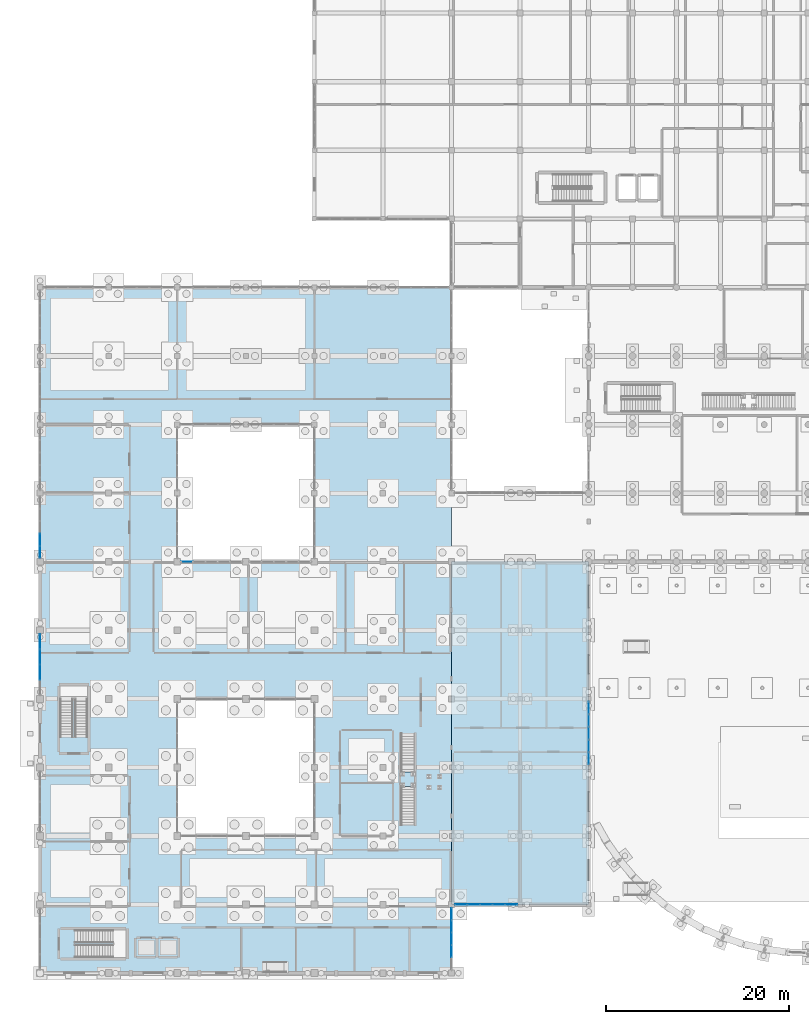
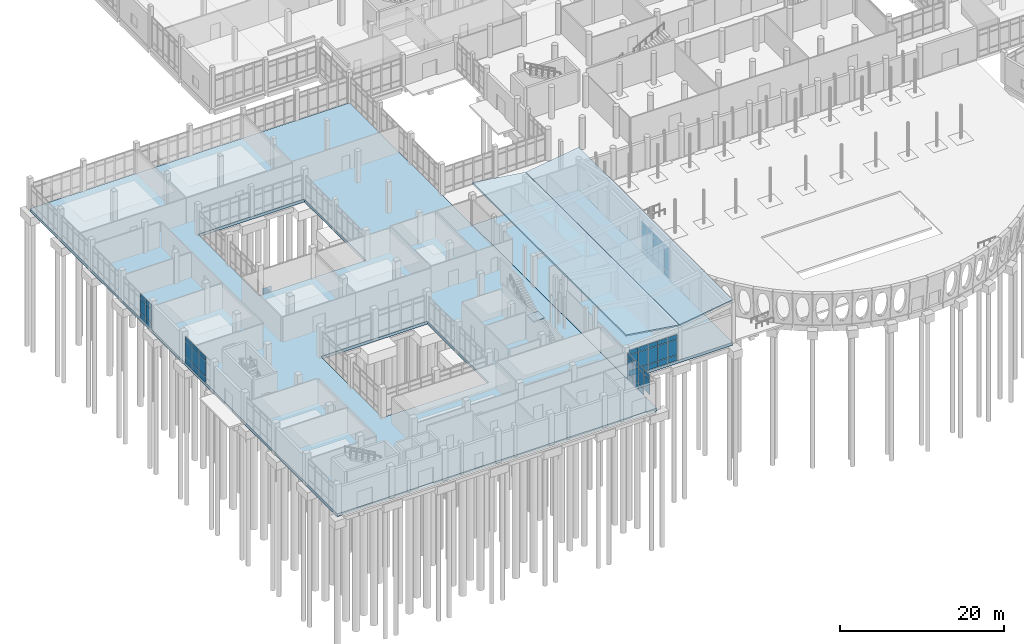
# One storey, part 126 of 173: 57 plates, 5 slabs, 7 elements without a shape of their own.
"""IFC4 building model written with IfcOpenShell, lengths in metres."""

import ifcopenshell
import ifcopenshell.guid

model = None  # the IFC model being written
_history = None  # IfcOwnerHistory: only IFC2X3 demands one
_inside = {}  # id of a spatial element -> (the spatial element, [elements in it])
_under = {}  # id of a project, library or spatial element -> (it, [spatial elements below it])
_declared = {}  # id of a project -> (the project, [libraries it declares])
_typed = {}  # id of a type object -> (the type object, [elements of that type])
_made_of = {}  # id of a material, layer set ... -> (it, [elements and type objects made of it])


def new_model(schema):
    """Start an empty IFC model of exactly this schema.

    Asked for "IFC4X3", IfcOpenShell would pick the latest addendum, in which some entities
    have other attributes; the version numbers below select the first issue.
    IFC2X3 requires an IfcOwnerHistory on every rooted entity: one is made here for all.
    """
    global model, _history
    if schema == "IFC4X3":
        model = ifcopenshell.file(schema_version=(4, 3, 0, 0))
    else:
        model = ifcopenshell.file(schema=schema)
    _inside.clear()
    _under.clear()
    _declared.clear()
    _typed.clear()
    _made_of.clear()
    _history = None
    if model.schema == "IFC2X3":
        org = make("IfcOrganization", Name="unknown")
        user = make(
            "IfcPersonAndOrganization",
            ThePerson=make("IfcPerson", FamilyName="unknown"),
            TheOrganization=org,
        )
        app = make(
            "IfcApplication",
            ApplicationDeveloper=org,
            Version="unknown",
            ApplicationFullName="unknown",
            ApplicationIdentifier="unknown",
        )
        _history = make(
            "IfcOwnerHistory",
            OwningUser=user,
            OwningApplication=app,
            ChangeAction="ADDED",
            CreationDate=0,
        )
    return model


def make(cls, **values):
    """One entity of the class cls with the attributes given. An attribute that is None is left unset."""
    return model.create_entity(
        cls, **{name: value for name, value in values.items() if value is not None}
    )


def rooted(cls, **values):
    """An entity with a GlobalId (a new one), such as an element, a storey or a relation."""
    return make(cls, GlobalId=ifcopenshell.guid.new(), OwnerHistory=_history, **values)


def si_unit(unit_type, name, prefix=None):
    """IfcSIUnit, for example si_unit("LENGTHUNIT", "METRE", prefix="MILLI")."""
    return make("IfcSIUnit", UnitType=unit_type, Prefix=prefix, Name=name)


def assignment(units):
    """IfcUnitAssignment: the units of a project."""
    return None if units is None else make("IfcUnitAssignment", Units=units)


def point(xyz):
    """IfcCartesianPoint."""
    return None if xyz is None else make("IfcCartesianPoint", Coordinates=xyz)


def direction(xyz):
    """IfcDirection."""
    return None if xyz is None else make("IfcDirection", DirectionRatios=xyz)


def frame(location, z_axis=None, x_axis=None):
    """IfcAxis2Placement3D, a coordinate frame: its origin and axes. An axis left out is left unset."""
    return make(
        "IfcAxis2Placement3D",
        Location=point(location),
        Axis=direction(z_axis),
        RefDirection=direction(x_axis),
    )


def frame_2d(location, x_axis=None):
    """IfcAxis2Placement2D, a coordinate frame in the plane: its origin and x axis."""
    return make(
        "IfcAxis2Placement2D", Location=point(location), RefDirection=direction(x_axis)
    )


def origin():
    """The frame at (0, 0, 0) with its axes left unset."""
    return frame((0.0, 0.0, 0.0))


def origin_2d():
    """The frame at (0, 0) in the plane with its x axis left unset."""
    return frame_2d((0.0, 0.0))


def place(relative_to, where):
    """IfcLocalPlacement: puts the frame where relative to a parent placement (None: the world)."""
    return make(
        "IfcLocalPlacement", PlacementRelTo=relative_to, RelativePlacement=where
    )


def context(
    kind, dimensions, precision=None, world=None, true_north=None, identifier=None
):
    """IfcGeometricRepresentationContext, for example the 3D "Model" context."""
    return make(
        "IfcGeometricRepresentationContext",
        ContextIdentifier=identifier,
        ContextType=kind,
        CoordinateSpaceDimension=dimensions,
        Precision=precision,
        WorldCoordinateSystem=world,
        TrueNorth=true_north,
    )


def subcontext(parent, identifier, kind, view, scale=None):
    """IfcGeometricRepresentationSubContext, for example "Body" below "Model"."""
    return make(
        "IfcGeometricRepresentationSubContext",
        ContextIdentifier=identifier,
        ContextType=kind,
        ParentContext=parent,
        TargetScale=scale,
        TargetView=view,
    )


def project(units=None, contexts=None):
    """IfcProject with its units and contexts."""
    return rooted(
        "IfcProject",
        Name="project",
        RepresentationContexts=contexts,
        UnitsInContext=assignment(units),
    )


def spatial(cls, under=None, at=None, **own):
    """A site, building, storey or space (cls), placed at a placement, below another one or the project."""
    s = rooted(cls, ObjectPlacement=at, **own)
    if under is not None:
        _under.setdefault(under.id(), (under, []))[1].append(s)
    return s


def polyline(points):
    """IfcPolyline through the points."""
    return make("IfcPolyline", Points=[point(p) for p in points])


def profile(cls, at=None, kind="AREA", **sizes):
    """A parametric profile (cls). Its sizes go by their IFC names, for example OverallWidth=200.0."""
    return make(cls, ProfileType=kind, Position=at, **sizes)


def rectangle(**sizes):
    """IfcRectangleProfileDef."""
    return profile("IfcRectangleProfileDef", **sizes)


def outline(outer, holes=None, kind="AREA"):
    """IfcArbitraryClosedProfileDef: a profile drawn as a closed curve; with holes, ...WithVoids."""
    if holes is None:
        return make("IfcArbitraryClosedProfileDef", ProfileType=kind, OuterCurve=outer)
    return make(
        "IfcArbitraryProfileDefWithVoids",
        ProfileType=kind,
        OuterCurve=outer,
        InnerCurves=holes,
    )


def extrude(swept, where, along, depth):
    """IfcExtrudedAreaSolid: the profile swept, set in the frame where, extruded along a direction by depth."""
    return make(
        "IfcExtrudedAreaSolid",
        SweptArea=swept,
        Position=where,
        ExtrudedDirection=direction(along),
        Depth=depth,
    )


def shape(context_of_items, identifier, shape_type, items):
    """IfcShapeRepresentation: the items that make up one representation, for example the "Body"."""
    return make(
        "IfcShapeRepresentation",
        ContextOfItems=context_of_items,
        RepresentationIdentifier=identifier,
        RepresentationType=shape_type,
        Items=items,
    )


def material(Name=None, Category=None):
    """IfcMaterial."""
    return make("IfcMaterial", Name=Name, Category=Category)


def layer(
    of_material, thickness, ventilated=None, Name=None, Category=None, Priority=None
):
    """IfcMaterialLayer: one layer of a wall or slab, of a material (None: an air gap)."""
    return make(
        "IfcMaterialLayer",
        Material=of_material,
        LayerThickness=thickness,
        IsVentilated=ventilated,
        Name=Name,
        Category=Category,
        Priority=Priority,
    )


def layer_set(layers, Name=None):
    """IfcMaterialLayerSet."""
    return make("IfcMaterialLayerSet", MaterialLayers=layers, LayerSetName=Name)


def made_of(thing, what):
    """Note that an element or type object is made of a material, layer set ...; save() writes the relation."""
    if what is not None:
        _made_of.setdefault(what.id(), (what, []))[1].append(thing)
    return thing


def type_object(cls, material=None, **own):
    """A type object (cls), such as IfcWallType, which elements share."""
    return made_of(rooted(cls, **own), material)


def element(
    cls,
    number,
    at=None,
    inside=None,
    cuts=None,
    type_object=None,
    material=None,
    context=None,
    identifier="Body",
    shape_type=None,
    held_by="IfcProductDefinitionShape",
    body=None,
    shapes=None,
    **own,
):
    """One element of the class cls, such as IfcWall. Its Tag is "e" and its number.

    at: its placement. inside: the storey or other place that contains it. cuts: it is an
    opening in that element (IfcRelVoidsElement). A single representation is given by context,
    identifier, shape_type and body (its items); several are given by shapes. held_by: the class
    of the entity that holds the representations. save() writes the other relations.
    """
    e = rooted(cls, Tag="e%d" % number, ObjectPlacement=at, **own)
    if body is not None:
        shapes = [shape(context, identifier, shape_type, body)]
    if shapes is not None:
        e.Representation = make(held_by, Representations=shapes)
    if inside is not None:
        _inside.setdefault(inside.id(), (inside, []))[1].append(e)
    if cuts is not None:
        rooted(
            "IfcRelVoidsElement", RelatingBuildingElement=cuts, RelatedOpeningElement=e
        )
    if type_object is not None:
        _typed.setdefault(type_object.id(), (type_object, []))[1].append(e)
    return made_of(e, material)


def aggregate(whole, parts):
    """IfcRelAggregates: a whole, such as a stair, and the parts it consists of."""
    return rooted("IfcRelAggregates", RelatingObject=whole, RelatedObjects=parts)


def save(model, path):
    """Write the relations noted so far, then the file.

    IfcRelAggregates (storeys below a building ...), IfcRelContainedInSpatialStructure (elements
    in a storey), IfcRelDefinesByType, IfcRelAssociatesMaterial and IfcRelDeclares: one each for
    every whole, place, type object, material and project.
    """
    for whole, parts in _under.values():
        aggregate(whole, parts)
    for where, things in _inside.values():
        rooted(
            "IfcRelContainedInSpatialStructure",
            RelatedElements=things,
            RelatingStructure=where,
        )
    for kind, things in _typed.values():
        rooted("IfcRelDefinesByType", RelatedObjects=things, RelatingType=kind)
    for what, things in _made_of.values():
        rooted("IfcRelAssociatesMaterial", RelatedObjects=things, RelatingMaterial=what)
    for by, libraries in _declared.values():
        rooted("IfcRelDeclares", RelatingContext=by, RelatedDefinitions=libraries)
    model.write(path)


model = new_model("IFC4")

# Units and contexts
model_context = context("Model", 3, precision=1e-05, world=origin(), true_north=direction((0.0, 1.0)))
body_context = subcontext(model_context, "Body", "Model", "MODEL_VIEW")
ifc_project = project(units=[si_unit("LENGTHUNIT", "METRE"), si_unit("AREAUNIT", "SQUARE_METRE"), si_unit("VOLUMEUNIT", "CUBIC_METRE"), si_unit("PLANEANGLEUNIT", "RADIAN"), si_unit("MASSUNIT", "GRAM", prefix="KILO")], contexts=[model_context])

# Site, building, storey
site_placement = place(None, origin())
site = spatial("IfcSite", under=ifc_project, at=site_placement, CompositionType="ELEMENT")
building_placement = place(site_placement, origin())
building = spatial("IfcBuilding", under=site, at=building_placement, Name="Mawjan Specialist Oncology Clinic", CompositionType="ELEMENT")
storey_placement = place(building_placement, origin())
storey = spatial("IfcBuildingStorey", under=building, at=storey_placement, Name="L00", CompositionType="ELEMENT", Elevation=0.0)

# Curtain wall, plates
ifc_material_1 = material(Name="Unitised spectrally selective aluminium curtain wall", Category="aluminium")
ifc_layer_1 = layer(ifc_material_1, 0.179931640625, Name="Unitised spectrally selective aluminium curtain wall", Category="aluminium")
ifc_layer_set_1 = layer_set([ifc_layer_1], Name="Unitised spectrally selective aluminium curtain wall")
curtain_wall_type_1 = type_object("IfcCurtainWallType", Name="CW-01", PredefinedType="NOTDEFINED", material=ifc_layer_set_1)
curtain_wall_1_placement = place(storey_placement, origin())
curtain_wall_1 = element("IfcCurtainWall", 1, at=curtain_wall_1_placement, inside=storey, type_object=curtain_wall_type_1, Name="L00 Unitised Curtain Wall CW-L00-001", PredefinedType="NOTDEFINED")
ifc_material_2 = material(Name="Spectrally selective double low-E glazing", Category="glass")
ifc_layer_2 = layer(ifc_material_2, 0.035888671875, Name="Spectrally selective double low-E glazing", Category="glass")
ifc_layer_set_2 = layer_set([ifc_layer_2], Name="Spectrally selective double low-E glazing")
plate_type = type_object("IfcPlateType", Name="CW-P36", PredefinedType="CURTAIN_PANEL", material=ifc_layer_set_2)
plate_1_placement = place(storey_placement, frame((45.0, 7.2578125, 0.06494140625), z_axis=(0.0, 0.0, 1.0), x_axis=(0.0, -1.0, 0.0)))
plate_1 = element("IfcPlate", 2, at=plate_1_placement, type_object=plate_type, Name="CW-01 panel 1.1", PredefinedType="CURTAIN_PANEL", context=body_context, shape_type="SweptSolid", body=[
    extrude(rectangle(XDim=1.264404296875, YDim=0.035888671875, at=origin_2d()), origin(), (0.0, 0.0, 1.0), 0.802490234375),
])
plate_2_placement = place(storey_placement, frame((45.0, 7.2578125, 0.932373046875), z_axis=(0.0, 0.0, 1.0), x_axis=(0.0, -1.0, 0.0)))
plate_2 = element("IfcPlate", 3, at=plate_2_placement, type_object=plate_type, Name="CW-01 panel 1.2", PredefinedType="CURTAIN_PANEL", context=body_context, shape_type="SweptSolid", body=[
    extrude(rectangle(XDim=1.264404296875, YDim=0.035888671875, at=origin_2d()), origin(), (0.0, 0.0, 1.0), 2.27001953125),
])
plate_3_placement = place(storey_placement, frame((45.0, 7.2578125, 3.267578125), z_axis=(0.0, 0.0, 1.0), x_axis=(0.0, -1.0, 0.0)))
plate_3 = element("IfcPlate", 4, at=plate_3_placement, type_object=plate_type, Name="CW-01 panel 1.3", PredefinedType="CURTAIN_PANEL", context=body_context, shape_type="SweptSolid", body=[
    extrude(rectangle(XDim=1.264404296875, YDim=0.035888671875, at=origin_2d()), origin(), (0.0, 0.0, 1.0), 0.652587890625),
])
plate_4_placement = place(storey_placement, frame((45.0, 5.912109375, 0.06494140625), z_axis=(0.0, 0.0, 1.0), x_axis=(0.0, -1.0, 0.0)))
plate_4 = element("IfcPlate", 5, at=plate_4_placement, type_object=plate_type, Name="CW-01 panel 2.1", PredefinedType="CURTAIN_PANEL", context=body_context, shape_type="SweptSolid", body=[
    extrude(rectangle(XDim=1.297119140625, YDim=0.035888671875, at=origin_2d()), origin(), (0.0, 0.0, 1.0), 0.802490234375),
])
plate_5_placement = place(storey_placement, frame((45.0, 5.912109375, 0.932373046875), z_axis=(0.0, 0.0, 1.0), x_axis=(0.0, -1.0, 0.0)))
plate_5 = element("IfcPlate", 6, at=plate_5_placement, type_object=plate_type, Name="CW-01 panel 2.2", PredefinedType="CURTAIN_PANEL", context=body_context, shape_type="SweptSolid", body=[
    extrude(rectangle(XDim=1.297119140625, YDim=0.035888671875, at=origin_2d()), origin(), (0.0, 0.0, 1.0), 2.27001953125),
])
plate_6_placement = place(storey_placement, frame((45.0, 5.912109375, 3.267578125), z_axis=(0.0, 0.0, 1.0), x_axis=(0.0, -1.0, 0.0)))
plate_6 = element("IfcPlate", 7, at=plate_6_placement, type_object=plate_type, Name="CW-01 panel 2.3", PredefinedType="CURTAIN_PANEL", context=body_context, shape_type="SweptSolid", body=[
    extrude(rectangle(XDim=1.297119140625, YDim=0.035888671875, at=origin_2d()), origin(), (0.0, 0.0, 1.0), 0.652587890625),
])
plate_7_placement = place(storey_placement, frame((45.0, 4.550048828125, 0.06494140625), z_axis=(0.0, 0.0, 1.0), x_axis=(0.0, -1.0, 0.0)))
plate_7 = element("IfcPlate", 8, at=plate_7_placement, type_object=plate_type, Name="CW-01 panel 3.1", PredefinedType="CURTAIN_PANEL", context=body_context, shape_type="SweptSolid", body=[
    extrude(rectangle(XDim=1.297119140625, YDim=0.035888671875, at=origin_2d()), origin(), (0.0, 0.0, 1.0), 0.802490234375),
])
plate_8_placement = place(storey_placement, frame((45.0, 4.550048828125, 0.932373046875), z_axis=(0.0, 0.0, 1.0), x_axis=(0.0, -1.0, 0.0)))
plate_8 = element("IfcPlate", 9, at=plate_8_placement, type_object=plate_type, Name="CW-01 panel 3.2", PredefinedType="CURTAIN_PANEL", context=body_context, shape_type="SweptSolid", body=[
    extrude(rectangle(XDim=1.297119140625, YDim=0.035888671875, at=origin_2d()), origin(), (0.0, 0.0, 1.0), 2.27001953125),
])
plate_9_placement = place(storey_placement, frame((45.0, 4.550048828125, 3.267578125), z_axis=(0.0, 0.0, 1.0), x_axis=(0.0, -1.0, 0.0)))
plate_9 = element("IfcPlate", 10, at=plate_9_placement, type_object=plate_type, Name="CW-01 panel 3.3", PredefinedType="CURTAIN_PANEL", context=body_context, shape_type="SweptSolid", body=[
    extrude(rectangle(XDim=1.297119140625, YDim=0.035888671875, at=origin_2d()), origin(), (0.0, 0.0, 1.0), 0.652587890625),
])
plate_10_placement = place(storey_placement, frame((45.0, 3.18798828125, 0.932373046875), z_axis=(0.0, 0.0, 1.0), x_axis=(0.0, -1.0, 0.0)))
plate_10 = element("IfcPlate", 11, at=plate_10_placement, type_object=plate_type, Name="CW-01 panel 4.2", PredefinedType="CURTAIN_PANEL", context=body_context, shape_type="SweptSolid", body=[
    extrude(rectangle(XDim=1.297119140625, YDim=0.035888671875, at=origin_2d()), origin(), (0.0, 0.0, 1.0), 2.27001953125),
])
plate_11_placement = place(storey_placement, frame((45.0, 3.18798828125, 3.267578125), z_axis=(0.0, 0.0, 1.0), x_axis=(0.0, -1.0, 0.0)))
plate_11 = element("IfcPlate", 12, at=plate_11_placement, type_object=plate_type, Name="CW-01 panel 4.3", PredefinedType="CURTAIN_PANEL", context=body_context, shape_type="SweptSolid", body=[
    extrude(rectangle(XDim=1.297119140625, YDim=0.035888671875, at=origin_2d()), origin(), (0.0, 0.0, 1.0), 0.652587890625),
])
aggregate(curtain_wall_1, [plate_1, plate_2, plate_3, plate_4, plate_5, plate_6, plate_7, plate_8, plate_9, plate_10, plate_11])

ifc_material_3 = material(Name="Unitised spectrally selective aluminium curtain wall", Category="aluminium")
ifc_layer_3 = layer(ifc_material_3, 0.179931640625, Name="Unitised spectrally selective aluminium curtain wall", Category="aluminium")
ifc_layer_set_3 = layer_set([ifc_layer_3], Name="Unitised spectrally selective aluminium curtain wall")
curtain_wall_type_2 = type_object("IfcCurtainWallType", Name="CW-02", PredefinedType="NOTDEFINED", material=ifc_layer_set_3)
curtain_wall_2_placement = place(storey_placement, origin())
curtain_wall_2 = element("IfcCurtainWall", 13, at=curtain_wall_2_placement, inside=storey, type_object=curtain_wall_type_2, Name="L00 Unitised Curtain Wall CW-L00-004", PredefinedType="NOTDEFINED")
plate_12_placement = place(storey_placement, frame((0.0, 33.711181640625, 0.06494140625), z_axis=(0.0, 0.0, 1.0), x_axis=(0.0, 1.0, 0.0)))
plate_12 = element("IfcPlate", 14, at=plate_12_placement, type_object=plate_type, Name="CW-02 panel 2.1", PredefinedType="CURTAIN_PANEL", context=body_context, shape_type="SweptSolid", body=[
    extrude(rectangle(XDim=1.612548828125, YDim=0.035888671875, at=origin_2d()), origin(), (0.0, 0.0, 1.0), 0.802490234375),
])
plate_13_placement = place(storey_placement, frame((0.0, 33.711181640625, 0.9326171875), z_axis=(0.0, 0.0, 1.0), x_axis=(0.0, 1.0, 0.0)))
plate_13 = element("IfcPlate", 15, at=plate_13_placement, type_object=plate_type, Name="CW-02 panel 2.2", PredefinedType="CURTAIN_PANEL", context=body_context, shape_type="SweptSolid", body=[
    extrude(rectangle(XDim=1.612548828125, YDim=0.035888671875, at=origin_2d()), origin(), (0.0, 0.0, 1.0), 2.320068359375),
])
plate_14_placement = place(storey_placement, frame((0.0, 33.711181640625, 3.3173828125), z_axis=(0.0, 0.0, 1.0), x_axis=(0.0, 1.0, 0.0)))
plate_14 = element("IfcPlate", 16, at=plate_14_placement, type_object=plate_type, Name="CW-02 panel 2.3", PredefinedType="CURTAIN_PANEL", context=body_context, shape_type="SweptSolid", body=[
    extrude(rectangle(XDim=1.612548828125, YDim=0.035888671875, at=origin_2d()), origin(), (0.0, 0.0, 1.0), 0.652587890625),
])
plate_15_placement = place(storey_placement, frame((0.0, 35.388671875, 0.06494140625), z_axis=(0.0, 0.0, 1.0), x_axis=(0.0, 1.0, 0.0)))
plate_15 = element("IfcPlate", 17, at=plate_15_placement, type_object=plate_type, Name="CW-02 panel 3.1", PredefinedType="CURTAIN_PANEL", context=body_context, shape_type="SweptSolid", body=[
    extrude(rectangle(XDim=1.612548828125, YDim=0.035888671875, at=origin_2d()), origin(), (0.0, 0.0, 1.0), 0.802490234375),
])
plate_16_placement = place(storey_placement, frame((0.0, 35.388671875, 0.9326171875), z_axis=(0.0, 0.0, 1.0), x_axis=(0.0, 1.0, 0.0)))
plate_16 = element("IfcPlate", 18, at=plate_16_placement, type_object=plate_type, Name="CW-02 panel 3.2", PredefinedType="CURTAIN_PANEL", context=body_context, shape_type="SweptSolid", body=[
    extrude(rectangle(XDim=1.612548828125, YDim=0.035888671875, at=origin_2d()), origin(), (0.0, 0.0, 1.0), 2.320068359375),
])
plate_17_placement = place(storey_placement, frame((0.0, 35.388671875, 3.3173828125), z_axis=(0.0, 0.0, 1.0), x_axis=(0.0, 1.0, 0.0)))
plate_17 = element("IfcPlate", 19, at=plate_17_placement, type_object=plate_type, Name="CW-02 panel 3.3", PredefinedType="CURTAIN_PANEL", context=body_context, shape_type="SweptSolid", body=[
    extrude(rectangle(XDim=1.612548828125, YDim=0.035888671875, at=origin_2d()), origin(), (0.0, 0.0, 1.0), 0.652587890625),
])
plate_18_placement = place(storey_placement, frame((0.0, 37.050048828125, 0.06494140625), z_axis=(0.0, 0.0, 1.0), x_axis=(0.0, 1.0, 0.0)))
plate_18 = element("IfcPlate", 20, at=plate_18_placement, type_object=plate_type, Name="CW-02 panel 4.1", PredefinedType="CURTAIN_PANEL", context=body_context, shape_type="SweptSolid", body=[
    extrude(rectangle(XDim=1.580078125, YDim=0.035888671875, at=origin_2d()), origin(), (0.0, 0.0, 1.0), 0.802490234375),
])
plate_19_placement = place(storey_placement, frame((0.0, 37.050048828125, 0.9326171875), z_axis=(0.0, 0.0, 1.0), x_axis=(0.0, 1.0, 0.0)))
plate_19 = element("IfcPlate", 21, at=plate_19_placement, type_object=plate_type, Name="CW-02 panel 4.2", PredefinedType="CURTAIN_PANEL", context=body_context, shape_type="SweptSolid", body=[
    extrude(rectangle(XDim=1.580078125, YDim=0.035888671875, at=origin_2d()), origin(), (0.0, 0.0, 1.0), 2.320068359375),
])
plate_20_placement = place(storey_placement, frame((0.0, 37.050048828125, 3.3173828125), z_axis=(0.0, 0.0, 1.0), x_axis=(0.0, 1.0, 0.0)))
plate_20 = element("IfcPlate", 22, at=plate_20_placement, type_object=plate_type, Name="CW-02 panel 4.3", PredefinedType="CURTAIN_PANEL", context=body_context, shape_type="SweptSolid", body=[
    extrude(rectangle(XDim=1.580078125, YDim=0.035888671875, at=origin_2d()), origin(), (0.0, 0.0, 1.0), 0.652587890625),
])
aggregate(curtain_wall_2, [plate_12, plate_13, plate_14, plate_15, plate_16, plate_17, plate_18, plate_19, plate_20])

ifc_material_4 = material(Name="Unitised spectrally selective aluminium curtain wall", Category="aluminium")
ifc_layer_4 = layer(ifc_material_4, 0.179931640625, Name="Unitised spectrally selective aluminium curtain wall", Category="aluminium")
ifc_layer_set_4 = layer_set([ifc_layer_4], Name="Unitised spectrally selective aluminium curtain wall")
curtain_wall_type_3 = type_object("IfcCurtainWallType", Name="CW-03", PredefinedType="NOTDEFINED", material=ifc_layer_set_4)
curtain_wall_3_placement = place(storey_placement, origin())
curtain_wall_3 = element("IfcCurtainWall", 23, at=curtain_wall_3_placement, inside=storey, type_object=curtain_wall_type_3, Name="L00 Unitised Curtain Wall CW-L00-005", PredefinedType="NOTDEFINED")
plate_21_placement = place(storey_placement, frame((0.0, 46.86474609375, 0.06494140625), z_axis=(0.0, 0.0, 1.0), x_axis=(0.0, 1.0, 0.0)))
plate_21 = element("IfcPlate", 24, at=plate_21_placement, type_object=plate_type, Name="CW-03 panel 1.1", PredefinedType="CURTAIN_PANEL", context=body_context, shape_type="SweptSolid", body=[
    extrude(rectangle(XDim=1.259521484375, YDim=0.035888671875, at=origin_2d()), origin(), (0.0, 0.0, 1.0), 0.802490234375),
])
plate_22_placement = place(storey_placement, frame((0.0, 46.86474609375, 0.9326171875), z_axis=(0.0, 0.0, 1.0), x_axis=(0.0, 1.0, 0.0)))
plate_22 = element("IfcPlate", 25, at=plate_22_placement, type_object=plate_type, Name="CW-03 panel 1.2", PredefinedType="CURTAIN_PANEL", context=body_context, shape_type="SweptSolid", body=[
    extrude(rectangle(XDim=1.259521484375, YDim=0.035888671875, at=origin_2d()), origin(), (0.0, 0.0, 1.0), 2.050048828125),
])
plate_23_placement = place(storey_placement, frame((0.0, 46.86474609375, 3.04736328125), z_axis=(0.0, 0.0, 1.0), x_axis=(0.0, 1.0, 0.0)))
plate_23 = element("IfcPlate", 26, at=plate_23_placement, type_object=plate_type, Name="CW-03 panel 1.3", PredefinedType="CURTAIN_PANEL", context=body_context, shape_type="SweptSolid", body=[
    extrude(rectangle(XDim=1.259521484375, YDim=0.035888671875, at=origin_2d()), origin(), (0.0, 0.0, 1.0), 0.652587890625),
])
plate_24_placement = place(storey_placement, frame((0.0, 48.20556640625, 0.06494140625), z_axis=(0.0, 0.0, 1.0), x_axis=(0.0, 1.0, 0.0)))
plate_24 = element("IfcPlate", 27, at=plate_24_placement, type_object=plate_type, Name="CW-03 panel 2.1", PredefinedType="CURTAIN_PANEL", context=body_context, shape_type="SweptSolid", body=[
    extrude(rectangle(XDim=1.2919921875, YDim=0.035888671875, at=origin_2d()), origin(), (0.0, 0.0, 1.0), 0.802490234375),
])
plate_25_placement = place(storey_placement, frame((0.0, 48.20556640625, 0.9326171875), z_axis=(0.0, 0.0, 1.0), x_axis=(0.0, 1.0, 0.0)))
plate_25 = element("IfcPlate", 28, at=plate_25_placement, type_object=plate_type, Name="CW-03 panel 2.2", PredefinedType="CURTAIN_PANEL", context=body_context, shape_type="SweptSolid", body=[
    extrude(rectangle(XDim=1.2919921875, YDim=0.035888671875, at=origin_2d()), origin(), (0.0, 0.0, 1.0), 2.050048828125),
])
plate_26_placement = place(storey_placement, frame((0.0, 48.20556640625, 3.04736328125), z_axis=(0.0, 0.0, 1.0), x_axis=(0.0, 1.0, 0.0)))
plate_26 = element("IfcPlate", 29, at=plate_26_placement, type_object=plate_type, Name="CW-03 panel 2.3", PredefinedType="CURTAIN_PANEL", context=body_context, shape_type="SweptSolid", body=[
    extrude(rectangle(XDim=1.2919921875, YDim=0.035888671875, at=origin_2d()), origin(), (0.0, 0.0, 1.0), 0.652587890625),
])
aggregate(curtain_wall_3, [plate_21, plate_22, plate_23, plate_24, plate_25, plate_26])

ifc_material_5 = material(Name="Unitised spectrally selective aluminium curtain wall", Category="aluminium")
ifc_layer_5 = layer(ifc_material_5, 0.179931640625, Name="Unitised spectrally selective aluminium curtain wall", Category="aluminium")
ifc_layer_set_5 = layer_set([ifc_layer_5], Name="Unitised spectrally selective aluminium curtain wall")
curtain_wall_type_4 = type_object("IfcCurtainWallType", Name="CW-21", PredefinedType="NOTDEFINED", material=ifc_layer_set_5)
curtain_wall_4_placement = place(storey_placement, origin())
curtain_wall_4 = element("IfcCurtainWall", 30, at=curtain_wall_4_placement, inside=storey, type_object=curtain_wall_type_4, Name="L00 Unitised Curtain Wall CW-L00-037", PredefinedType="NOTDEFINED")
plate_27_placement = place(storey_placement, frame((60.0, 29.81640625, 0.070068359375), z_axis=(0.0, 0.0, 1.0), x_axis=(0.0, -1.0, 0.0)))
plate_27 = element("IfcPlate", 31, at=plate_27_placement, type_object=plate_type, Name="CW-21 panel 1.1", PredefinedType="CURTAIN_PANEL", context=body_context, shape_type="SweptSolid", body=[
    extrude(rectangle(XDim=1.287109375, YDim=0.035888671875, at=origin_2d()), origin(), (0.0, 0.0, 1.0), 0.794921875),
])
plate_28_placement = place(storey_placement, frame((60.0, 29.81640625, 0.93505859375), z_axis=(0.0, 0.0, 1.0), x_axis=(0.0, -1.0, 0.0)))
plate_28 = element("IfcPlate", 32, at=plate_28_placement, type_object=plate_type, Name="CW-21 panel 1.2", PredefinedType="CURTAIN_PANEL", context=body_context, shape_type="SweptSolid", body=[
    extrude(rectangle(XDim=1.287109375, YDim=0.035888671875, at=origin_2d()), origin(), (0.0, 0.0, 1.0), 2.97998046875),
])
plate_29_placement = place(storey_placement, frame((60.0, 29.81640625, 3.985107421875), z_axis=(0.0, 0.0, 1.0), x_axis=(0.0, -1.0, 0.0)))
plate_29 = element("IfcPlate", 33, at=plate_29_placement, type_object=plate_type, Name="CW-21 panel 1.3", PredefinedType="CURTAIN_PANEL", context=body_context, shape_type="SweptSolid", body=[
    extrude(rectangle(XDim=1.287109375, YDim=0.035888671875, at=origin_2d()), origin(), (0.0, 0.0, 1.0), 0.64501953125),
])
plate_30_placement = place(storey_placement, frame((60.0, 28.44189453125, 0.070068359375), z_axis=(0.0, 0.0, 1.0), x_axis=(0.0, -1.0, 0.0)))
plate_30 = element("IfcPlate", 34, at=plate_30_placement, type_object=plate_type, Name="CW-21 panel 2.1", PredefinedType="CURTAIN_PANEL", context=body_context, shape_type="SweptSolid", body=[
    extrude(rectangle(XDim=1.322021484375, YDim=0.035888671875, at=origin_2d()), origin(), (0.0, 0.0, 1.0), 0.794921875),
])
plate_31_placement = place(storey_placement, frame((60.0, 28.44189453125, 0.93505859375), z_axis=(0.0, 0.0, 1.0), x_axis=(0.0, -1.0, 0.0)))
plate_31 = element("IfcPlate", 35, at=plate_31_placement, type_object=plate_type, Name="CW-21 panel 2.2", PredefinedType="CURTAIN_PANEL", context=body_context, shape_type="SweptSolid", body=[
    extrude(rectangle(XDim=1.322021484375, YDim=0.035888671875, at=origin_2d()), origin(), (0.0, 0.0, 1.0), 2.97998046875),
])
plate_32_placement = place(storey_placement, frame((60.0, 28.44189453125, 3.985107421875), z_axis=(0.0, 0.0, 1.0), x_axis=(0.0, -1.0, 0.0)))
plate_32 = element("IfcPlate", 36, at=plate_32_placement, type_object=plate_type, Name="CW-21 panel 2.3", PredefinedType="CURTAIN_PANEL", context=body_context, shape_type="SweptSolid", body=[
    extrude(rectangle(XDim=1.322021484375, YDim=0.035888671875, at=origin_2d()), origin(), (0.0, 0.0, 1.0), 0.64501953125),
])
plate_33_placement = place(storey_placement, frame((60.0, 27.050048828125, 0.070068359375), z_axis=(0.0, 0.0, 1.0), x_axis=(0.0, -1.0, 0.0)))
plate_33 = element("IfcPlate", 37, at=plate_33_placement, type_object=plate_type, Name="CW-21 panel 3.1", PredefinedType="CURTAIN_PANEL", context=body_context, shape_type="SweptSolid", body=[
    extrude(rectangle(XDim=1.322021484375, YDim=0.035888671875, at=origin_2d()), origin(), (0.0, 0.0, 1.0), 0.794921875),
])
plate_34_placement = place(storey_placement, frame((60.0, 27.050048828125, 0.93505859375), z_axis=(0.0, 0.0, 1.0), x_axis=(0.0, -1.0, 0.0)))
plate_34 = element("IfcPlate", 38, at=plate_34_placement, type_object=plate_type, Name="CW-21 panel 3.2", PredefinedType="CURTAIN_PANEL", context=body_context, shape_type="SweptSolid", body=[
    extrude(rectangle(XDim=1.322021484375, YDim=0.035888671875, at=origin_2d()), origin(), (0.0, 0.0, 1.0), 2.97998046875),
])
plate_35_placement = place(storey_placement, frame((60.0, 27.050048828125, 3.985107421875), z_axis=(0.0, 0.0, 1.0), x_axis=(0.0, -1.0, 0.0)))
plate_35 = element("IfcPlate", 39, at=plate_35_placement, type_object=plate_type, Name="CW-21 panel 3.3", PredefinedType="CURTAIN_PANEL", context=body_context, shape_type="SweptSolid", body=[
    extrude(rectangle(XDim=1.322021484375, YDim=0.035888671875, at=origin_2d()), origin(), (0.0, 0.0, 1.0), 0.64501953125),
])
plate_36_placement = place(storey_placement, frame((60.0, 25.657958984375, 0.070068359375), z_axis=(0.0, 0.0, 1.0), x_axis=(0.0, -1.0, 0.0)))
plate_36 = element("IfcPlate", 40, at=plate_36_placement, type_object=plate_type, Name="CW-21 panel 4.1", PredefinedType="CURTAIN_PANEL", context=body_context, shape_type="SweptSolid", body=[
    extrude(rectangle(XDim=1.322021484375, YDim=0.035888671875, at=origin_2d()), origin(), (0.0, 0.0, 1.0), 0.794921875),
])
plate_37_placement = place(storey_placement, frame((60.0, 25.657958984375, 0.93505859375), z_axis=(0.0, 0.0, 1.0), x_axis=(0.0, -1.0, 0.0)))
plate_37 = element("IfcPlate", 41, at=plate_37_placement, type_object=plate_type, Name="CW-21 panel 4.2", PredefinedType="CURTAIN_PANEL", context=body_context, shape_type="SweptSolid", body=[
    extrude(rectangle(XDim=1.322021484375, YDim=0.035888671875, at=origin_2d()), origin(), (0.0, 0.0, 1.0), 2.97998046875),
])
plate_38_placement = place(storey_placement, frame((60.0, 25.657958984375, 3.985107421875), z_axis=(0.0, 0.0, 1.0), x_axis=(0.0, -1.0, 0.0)))
plate_38 = element("IfcPlate", 42, at=plate_38_placement, type_object=plate_type, Name="CW-21 panel 4.3", PredefinedType="CURTAIN_PANEL", context=body_context, shape_type="SweptSolid", body=[
    extrude(rectangle(XDim=1.322021484375, YDim=0.035888671875, at=origin_2d()), origin(), (0.0, 0.0, 1.0), 0.64501953125),
])
plate_39_placement = place(storey_placement, frame((60.0, 24.283447265625, 0.070068359375), z_axis=(0.0, 0.0, 1.0), x_axis=(0.0, -1.0, 0.0)))
plate_39 = element("IfcPlate", 43, at=plate_39_placement, type_object=plate_type, Name="CW-21 panel 5.1", PredefinedType="CURTAIN_PANEL", context=body_context, shape_type="SweptSolid", body=[
    extrude(rectangle(XDim=1.287109375, YDim=0.035888671875, at=origin_2d()), origin(), (0.0, 0.0, 1.0), 0.794921875),
])
plate_40_placement = place(storey_placement, frame((60.0, 24.283447265625, 0.93505859375), z_axis=(0.0, 0.0, 1.0), x_axis=(0.0, -1.0, 0.0)))
plate_40 = element("IfcPlate", 44, at=plate_40_placement, type_object=plate_type, Name="CW-21 panel 5.2", PredefinedType="CURTAIN_PANEL", context=body_context, shape_type="SweptSolid", body=[
    extrude(rectangle(XDim=1.287109375, YDim=0.035888671875, at=origin_2d()), origin(), (0.0, 0.0, 1.0), 2.97998046875),
])
plate_41_placement = place(storey_placement, frame((60.0, 24.283447265625, 3.985107421875), z_axis=(0.0, 0.0, 1.0), x_axis=(0.0, -1.0, 0.0)))
plate_41 = element("IfcPlate", 45, at=plate_41_placement, type_object=plate_type, Name="CW-21 panel 5.3", PredefinedType="CURTAIN_PANEL", context=body_context, shape_type="SweptSolid", body=[
    extrude(rectangle(XDim=1.287109375, YDim=0.035888671875, at=origin_2d()), origin(), (0.0, 0.0, 1.0), 0.64501953125),
])
aggregate(curtain_wall_4, [plate_27, plate_28, plate_29, plate_30, plate_31, plate_32, plate_33, plate_34, plate_35, plate_36, plate_37, plate_38, plate_39, plate_40, plate_41])

ifc_material_6 = material(Name="Unitised spectrally selective aluminium curtain wall", Category="aluminium")
ifc_layer_6 = layer(ifc_material_6, 0.179931640625, Name="Unitised spectrally selective aluminium curtain wall", Category="aluminium")
ifc_layer_set_6 = layer_set([ifc_layer_6], Name="Unitised spectrally selective aluminium curtain wall")
curtain_wall_type_5 = type_object("IfcCurtainWallType", Name="CW-22", PredefinedType="NOTDEFINED", material=ifc_layer_set_6)
curtain_wall_5_placement = place(storey_placement, origin())
curtain_wall_5 = element("IfcCurtainWall", 46, at=curtain_wall_5_placement, inside=storey, type_object=curtain_wall_type_5, Name="L00 Unitised Curtain Wall CW-L00-038", PredefinedType="NOTDEFINED")
plate_42_placement = place(storey_placement, frame((51.525146484375, 8.300048828125, 0.06494140625), z_axis=(0.0, 0.0, 1.0), x_axis=(-1.0, 0.0, 0.0)))
plate_42 = element("IfcPlate", 47, at=plate_42_placement, type_object=plate_type, Name="CW-22 panel 1.1", PredefinedType="CURTAIN_PANEL", context=body_context, shape_type="SweptSolid", body=[
    extrude(rectangle(XDim=1.279541015625, YDim=0.035888671875, at=origin_2d()), origin(), (0.0, 0.0, 1.0), 0.802490234375),
])
plate_43_placement = place(storey_placement, frame((51.525146484375, 8.300048828125, 0.932373046875), z_axis=(0.0, 0.0, 1.0), x_axis=(-1.0, 0.0, 0.0)))
plate_43 = element("IfcPlate", 48, at=plate_43_placement, type_object=plate_type, Name="CW-22 panel 1.2", PredefinedType="CURTAIN_PANEL", context=body_context, shape_type="SweptSolid", body=[
    extrude(rectangle(XDim=1.279541015625, YDim=0.035888671875, at=origin_2d()), origin(), (0.0, 0.0, 1.0), 2.27001953125),
])
plate_44_placement = place(storey_placement, frame((51.525146484375, 8.300048828125, 3.267578125), z_axis=(0.0, 0.0, 1.0), x_axis=(-1.0, 0.0, 0.0)))
plate_44 = element("IfcPlate", 49, at=plate_44_placement, type_object=plate_type, Name="CW-22 panel 1.3", PredefinedType="CURTAIN_PANEL", context=body_context, shape_type="SweptSolid", body=[
    extrude(rectangle(XDim=1.279541015625, YDim=0.035888671875, at=origin_2d()), origin(), (0.0, 0.0, 1.0), 0.652587890625),
])
plate_45_placement = place(storey_placement, frame((50.16455078125, 8.300048828125, 0.06494140625), z_axis=(0.0, 0.0, 1.0), x_axis=(-1.0, 0.0, 0.0)))
plate_45 = element("IfcPlate", 50, at=plate_45_placement, type_object=plate_type, Name="CW-22 panel 2.1", PredefinedType="CURTAIN_PANEL", context=body_context, shape_type="SweptSolid", body=[
    extrude(rectangle(XDim=1.31201171875, YDim=0.035888671875, at=origin_2d()), origin(), (0.0, 0.0, 1.0), 0.802490234375),
])
plate_46_placement = place(storey_placement, frame((50.16455078125, 8.300048828125, 0.932373046875), z_axis=(0.0, 0.0, 1.0), x_axis=(-1.0, 0.0, 0.0)))
plate_46 = element("IfcPlate", 51, at=plate_46_placement, type_object=plate_type, Name="CW-22 panel 2.2", PredefinedType="CURTAIN_PANEL", context=body_context, shape_type="SweptSolid", body=[
    extrude(rectangle(XDim=1.31201171875, YDim=0.035888671875, at=origin_2d()), origin(), (0.0, 0.0, 1.0), 2.27001953125),
])
plate_47_placement = place(storey_placement, frame((50.16455078125, 8.300048828125, 3.267578125), z_axis=(0.0, 0.0, 1.0), x_axis=(-1.0, 0.0, 0.0)))
plate_47 = element("IfcPlate", 52, at=plate_47_placement, type_object=plate_type, Name="CW-22 panel 2.3", PredefinedType="CURTAIN_PANEL", context=body_context, shape_type="SweptSolid", body=[
    extrude(rectangle(XDim=1.31201171875, YDim=0.035888671875, at=origin_2d()), origin(), (0.0, 0.0, 1.0), 0.652587890625),
])
plate_48_placement = place(storey_placement, frame((48.78759765625, 8.300048828125, 0.06494140625), z_axis=(0.0, 0.0, 1.0), x_axis=(-1.0, 0.0, 0.0)))
plate_48 = element("IfcPlate", 53, at=plate_48_placement, type_object=plate_type, Name="CW-22 panel 3.1", PredefinedType="CURTAIN_PANEL", context=body_context, shape_type="SweptSolid", body=[
    extrude(rectangle(XDim=1.31201171875, YDim=0.035888671875, at=origin_2d()), origin(), (0.0, 0.0, 1.0), 0.802490234375),
])
plate_49_placement = place(storey_placement, frame((48.78759765625, 8.300048828125, 0.932373046875), z_axis=(0.0, 0.0, 1.0), x_axis=(-1.0, 0.0, 0.0)))
plate_49 = element("IfcPlate", 54, at=plate_49_placement, type_object=plate_type, Name="CW-22 panel 3.2", PredefinedType="CURTAIN_PANEL", context=body_context, shape_type="SweptSolid", body=[
    extrude(rectangle(XDim=1.31201171875, YDim=0.035888671875, at=origin_2d()), origin(), (0.0, 0.0, 1.0), 2.27001953125),
])
plate_50_placement = place(storey_placement, frame((48.78759765625, 8.300048828125, 3.267578125), z_axis=(0.0, 0.0, 1.0), x_axis=(-1.0, 0.0, 0.0)))
plate_50 = element("IfcPlate", 55, at=plate_50_placement, type_object=plate_type, Name="CW-22 panel 3.3", PredefinedType="CURTAIN_PANEL", context=body_context, shape_type="SweptSolid", body=[
    extrude(rectangle(XDim=1.31201171875, YDim=0.035888671875, at=origin_2d()), origin(), (0.0, 0.0, 1.0), 0.652587890625),
])
plate_51_placement = place(storey_placement, frame((47.410400390625, 8.300048828125, 0.06494140625), z_axis=(0.0, 0.0, 1.0), x_axis=(-1.0, 0.0, 0.0)))
plate_51 = element("IfcPlate", 56, at=plate_51_placement, type_object=plate_type, Name="CW-22 panel 4.1", PredefinedType="CURTAIN_PANEL", context=body_context, shape_type="SweptSolid", body=[
    extrude(rectangle(XDim=1.31201171875, YDim=0.035888671875, at=origin_2d()), origin(), (0.0, 0.0, 1.0), 0.802490234375),
])
plate_52_placement = place(storey_placement, frame((47.410400390625, 8.300048828125, 0.932373046875), z_axis=(0.0, 0.0, 1.0), x_axis=(-1.0, 0.0, 0.0)))
plate_52 = element("IfcPlate", 57, at=plate_52_placement, type_object=plate_type, Name="CW-22 panel 4.2", PredefinedType="CURTAIN_PANEL", context=body_context, shape_type="SweptSolid", body=[
    extrude(rectangle(XDim=1.31201171875, YDim=0.035888671875, at=origin_2d()), origin(), (0.0, 0.0, 1.0), 2.27001953125),
])
plate_53_placement = place(storey_placement, frame((47.410400390625, 8.300048828125, 3.267578125), z_axis=(0.0, 0.0, 1.0), x_axis=(-1.0, 0.0, 0.0)))
plate_53 = element("IfcPlate", 58, at=plate_53_placement, type_object=plate_type, Name="CW-22 panel 4.3", PredefinedType="CURTAIN_PANEL", context=body_context, shape_type="SweptSolid", body=[
    extrude(rectangle(XDim=1.31201171875, YDim=0.035888671875, at=origin_2d()), origin(), (0.0, 0.0, 1.0), 0.652587890625),
])
plate_54_placement = place(storey_placement, frame((46.0498046875, 8.300048828125, 0.06494140625), z_axis=(0.0, 0.0, 1.0), x_axis=(-1.0, 0.0, 0.0)))
plate_54 = element("IfcPlate", 59, at=plate_54_placement, type_object=plate_type, Name="CW-22 panel 5.1", PredefinedType="CURTAIN_PANEL", context=body_context, shape_type="SweptSolid", body=[
    extrude(rectangle(XDim=1.279541015625, YDim=0.035888671875, at=origin_2d()), origin(), (0.0, 0.0, 1.0), 0.802490234375),
])
plate_55_placement = place(storey_placement, frame((46.0498046875, 8.300048828125, 0.932373046875), z_axis=(0.0, 0.0, 1.0), x_axis=(-1.0, 0.0, 0.0)))
plate_55 = element("IfcPlate", 60, at=plate_55_placement, type_object=plate_type, Name="CW-22 panel 5.2", PredefinedType="CURTAIN_PANEL", context=body_context, shape_type="SweptSolid", body=[
    extrude(rectangle(XDim=1.279541015625, YDim=0.035888671875, at=origin_2d()), origin(), (0.0, 0.0, 1.0), 2.27001953125),
])
plate_56_placement = place(storey_placement, frame((46.0498046875, 8.300048828125, 3.267578125), z_axis=(0.0, 0.0, 1.0), x_axis=(-1.0, 0.0, 0.0)))
plate_56 = element("IfcPlate", 61, at=plate_56_placement, type_object=plate_type, Name="CW-22 panel 5.3", PredefinedType="CURTAIN_PANEL", context=body_context, shape_type="SweptSolid", body=[
    extrude(rectangle(XDim=1.279541015625, YDim=0.035888671875, at=origin_2d()), origin(), (0.0, 0.0, 1.0), 0.652587890625),
])
aggregate(curtain_wall_5, [plate_42, plate_43, plate_44, plate_45, plate_46, plate_47, plate_48, plate_49, plate_50, plate_51, plate_52, plate_53, plate_54, plate_55, plate_56])

# Curtain wall, plate
ifc_material_7 = material(Name="Unitised spectrally selective aluminium curtain wall", Category="aluminium")
ifc_layer_7 = layer(ifc_material_7, 0.179931640625, Name="Unitised spectrally selective aluminium curtain wall", Category="aluminium")
ifc_layer_set_7 = layer_set([ifc_layer_7], Name="Unitised spectrally selective aluminium curtain wall")
curtain_wall_type_6 = type_object("IfcCurtainWallType", Name="CW-29", PredefinedType="NOTDEFINED", material=ifc_layer_set_7)
curtain_wall_6_placement = place(storey_placement, origin())
curtain_wall_6 = element("IfcCurtainWall", 62, at=curtain_wall_6_placement, inside=storey, type_object=curtain_wall_type_6, Name="L00 Unitised Curtain Wall CW-L00-056", PredefinedType="NOTDEFINED")
plate_57_placement = place(storey_placement, frame((16.062255859375, 45.800048828125, 0.06494140625), z_axis=(0.0, 0.0, 1.0), x_axis=(1.0, 0.0, 0.0)))
plate_57 = element("IfcPlate", 63, at=plate_57_placement, type_object=plate_type, Name="CW-29 panel 1.1", PredefinedType="CURTAIN_PANEL", context=body_context, shape_type="SweptSolid", body=[
    extrude(rectangle(XDim=1.25439453125, YDim=0.035888671875, at=origin_2d()), origin(), (0.0, 0.0, 1.0), 0.802490234375),
])
aggregate(curtain_wall_6, [plate_57])

# Slabs
ifc_material_8 = material(Name="Concrete C40/50", Category="concrete")
ifc_layer_8 = layer(ifc_material_8, 0.419921875, Name="Concrete C40/50", Category="concrete")
ifc_layer_set_8 = layer_set([ifc_layer_8], Name="Concrete C40/50")
slab_type_1 = type_object("IfcSlabType", Name="FS-420", PredefinedType="BASESLAB", material=ifc_layer_set_8)
slab_1_placement = place(storey_placement, frame((0.0, 0.0, -0.419921875)))
element("IfcSlab", 64, at=slab_1_placement, inside=storey, type_object=slab_type_1, Name="L00 Outpatient Consulting Courts Wing Slab SLB-V4-L00", PredefinedType="BASESLAB", context=body_context, shape_type="SweptSolid", body=[
    extrude(outline(polyline([(0.0, 0.800048828125), (45.0, 0.800048828125), (45.0, 75.800048828125), (0.0, 75.800048828125), (0.0, 0.800048828125)]), holes=[polyline([(15.0, 15.800048828125), (30.0, 15.800048828125), (30.0, 30.800048828125), (15.0, 30.800048828125), (15.0, 15.800048828125)]), polyline([(15.0, 45.800048828125), (30.0, 45.800048828125), (30.0, 60.800048828125), (15.0, 60.800048828125), (15.0, 45.800048828125)])]), origin(), (0.0, 0.0, 1.0), 0.419921875),
])
slab_2_placement = place(storey_placement, frame((0.0, 0.0, -0.419921875)))
element("IfcSlab", 65, at=slab_2_placement, inside=storey, type_object=slab_type_1, Name="L00 Healing Garden Pavilion Slab SLB-V3-L00", PredefinedType="BASESLAB", context=body_context, shape_type="SweptSolid", body=[
    extrude(outline(polyline([(45.0, 8.300048828125), (60.0, 8.300048828125), (60.0, 45.800048828125), (45.0, 45.800048828125), (45.0, 8.300048828125)])), origin(), (0.0, 0.0, 1.0), 0.419921875),
])

# Stair, slab
ifc_material_9 = material(Name="Concrete C35/45", Category="concrete")
stair_type = type_object("IfcStairType", Name="STR-COMM", PredefinedType="STRAIGHT_RUN_STAIR", material=ifc_material_9)
stair_placement = place(storey_placement, origin())
stair = element("IfcStair", 66, at=stair_placement, inside=storey, type_object=stair_type, Name="Outpatient Lobby Communicating Stair ST-10", PredefinedType="STRAIGHT_RUN_STAIR")
ifc_material_10 = material(Name="Concrete C35/45", Category="concrete")
ifc_layer_9 = layer(ifc_material_10, 0.199951171875, Name="Concrete C35/45", Category="concrete")
ifc_layer_set_9 = layer_set([ifc_layer_9], Name="Concrete C35/45")
slab_type_2 = type_object("IfcSlabType", Name="LND-200", PredefinedType="LANDING", material=ifc_layer_set_9)
slab_3_placement = place(storey_placement, frame((0.0, 0.0, 2.300048828125)))
slab_3 = element("IfcSlab", 67, at=slab_3_placement, type_object=slab_type_2, Name="ST-10 landing 1", PredefinedType="LANDING", context=body_context, shape_type="SweptSolid", body=[
    extrude(outline(polyline([(39.4150390625, 21.199951171875), (40.985107421875, 21.199951171875), (40.985107421875, 22.800048828125), (39.4150390625, 22.800048828125), (39.4150390625, 21.199951171875)])), origin(), (0.0, 0.0, 1.0), 0.199951171875),
])
aggregate(stair, [slab_3])

# Slabs
ifc_material_11 = material(Name="Concrete C45/55", Category="concrete")
ifc_layer_10 = layer(ifc_material_11, 0.2099609375, Name="Concrete C45/55", Category="concrete")
ifc_layer_set_10 = layer_set([ifc_layer_10], Name="Concrete C45/55")
slab_type_3 = type_object("IfcSlabType", Name="RF-BTF210", PredefinedType="ROOF", material=ifc_layer_set_10)
for number, where, z_axis, x_axis, name in (
    (68, (45.0, 8.300048828125, 6.35009765625), (0.145353758997, 0.0, 0.989379747491), (0.989379747491, 0.0, -0.145353758997), "Healing Garden Pavilion Butterfly Roof West Wing"),
    (69, (52.511962890625, 8.300048828125, 5.25), (-0.145353758997, 0.0, 0.989379747491), (0.989379747491, 0.0, 0.145353758997), "Healing Garden Pavilion Butterfly Roof East Wing"),
):
    element("IfcSlab", number, at=place(storey_placement, frame(where, z_axis=z_axis, x_axis=x_axis)), inside=storey, type_object=slab_type_3, Name=name, PredefinedType="ROOF", context=body_context, shape_type="SweptSolid", body=[
        extrude(outline(polyline([(0.0, 0.0), (7.568415594076733, 0.0), (7.568415594076733, 37.5), (0.0, 37.5), (0.0, 0.0)])), origin(), (0.0, 0.0, -1.0), 0.2099609375),
    ])

save(model, "model.ifc")
